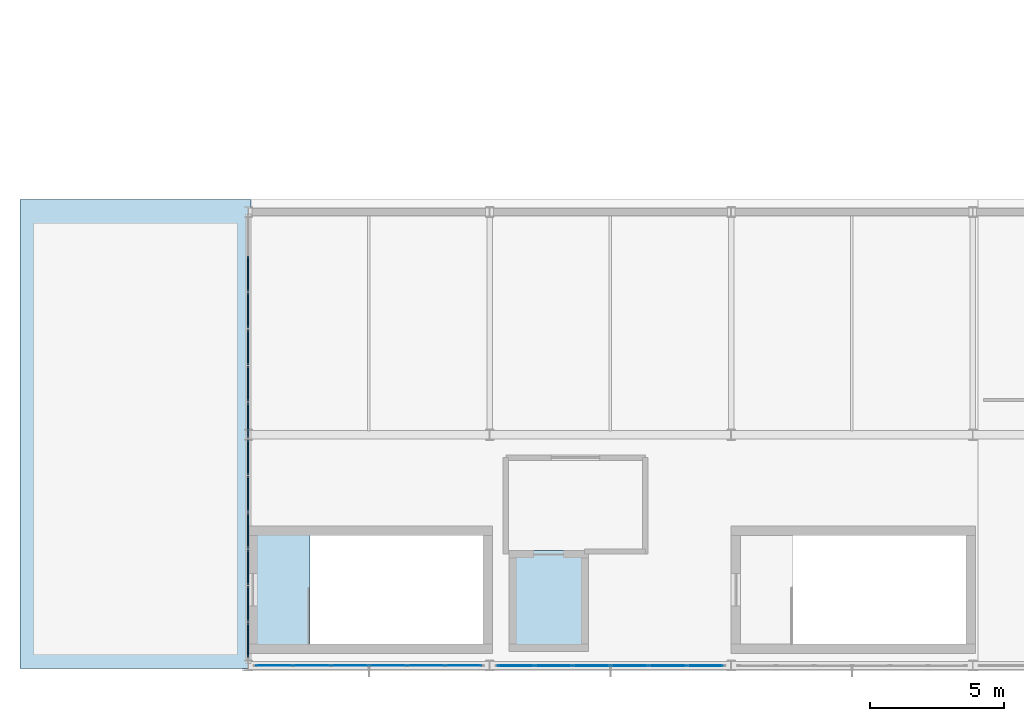
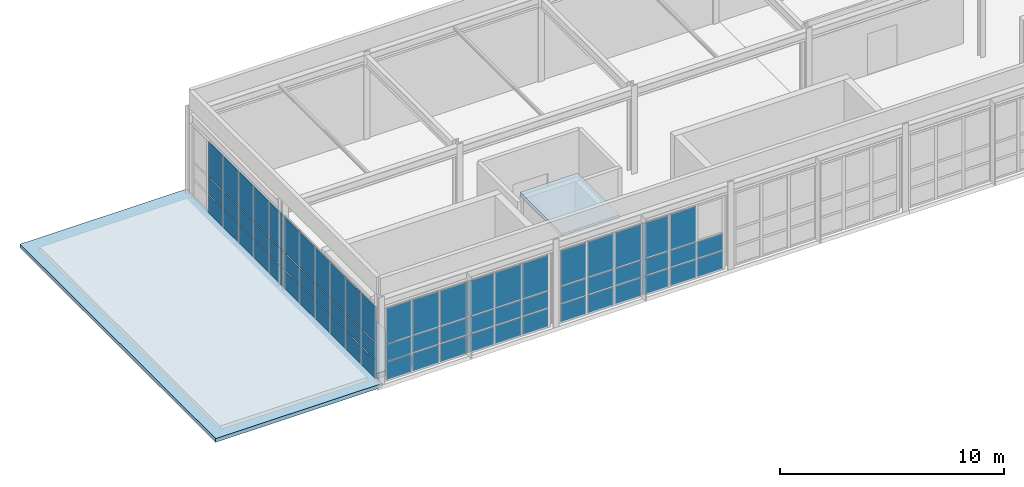
# One storey, part 29 of 38: 68 plates, 3 slabs, 4 elements without a shape of their own.
"""IFC4 building model written with IfcOpenShell, lengths in metres."""

from ifc_helpers import new_model, si_unit, direction, frame, origin, origin_2d, place, context, subcontext, project, spatial, polyline, rectangle, outline, extrude, material, layer, layer_set, type_object, element, aggregate, save


model = new_model("IFC4")

# Units and contexts
model_context = context("Model", 3, precision=1e-05, world=origin(), true_north=direction((0.0, 1.0)))
body_context = subcontext(model_context, "Body", "Model", "MODEL_VIEW")
ifc_project = project(units=[si_unit("LENGTHUNIT", "METRE"), si_unit("AREAUNIT", "SQUARE_METRE"), si_unit("VOLUMEUNIT", "CUBIC_METRE"), si_unit("PLANEANGLEUNIT", "RADIAN"), si_unit("MASSUNIT", "GRAM", prefix="KILO")], contexts=[model_context])

# Site, building, storey
site_placement = place(None, origin())
site = spatial("IfcSite", under=ifc_project, at=site_placement, CompositionType="ELEMENT")
building_placement = place(site_placement, origin())
building = spatial("IfcBuilding", under=site, at=building_placement, Name="Kaldris Quays Convention Centre", CompositionType="ELEMENT")
storey_placement = place(building_placement, frame((0.0, 0.0, 21.60009765625)))
storey = spatial("IfcBuildingStorey", under=building, at=storey_placement, Name="L04", CompositionType="ELEMENT", Elevation=21.60009765625)

# Curtain wall, plates
ifc_material_1 = material(Name="Anodized aluminium AW-6060 and triple glazing", Category="aluminium")
curtain_wall_type = type_object("IfcCurtainWallType", Name="UNITISED CURTAIN WALL CW04", PredefinedType="NOTDEFINED", material=ifc_material_1)
curtain_wall_1_placement = place(storey_placement, origin())
curtain_wall_1 = element("IfcCurtainWall", 1, at=curtain_wall_1_placement, inside=storey, type_object=curtain_wall_type, Name="L04 Unitised Curtain Wall CW04 129", PredefinedType="NOTDEFINED")
ifc_material_2 = material(Name="Triple low-E insulated glazing", Category="glass")
plate_type_1 = type_object("IfcPlateType", Name="CURTAIN GLAZING PANEL CWP1", PredefinedType="CURTAIN_PANEL", material=ifc_material_2)
plate_1_placement = place(storey_placement, frame((92.973388671875, 38.0, 0.059814453125), z_axis=(0.0, 0.0, 1.0), x_axis=(1.0, 0.0, 0.0)))
plate_1 = element("IfcPlate", 2, at=plate_1_placement, type_object=plate_type_1, Name="CW04 panel 1.1", PredefinedType="CURTAIN_PANEL", context=body_context, shape_type="SweptSolid", body=[
    extrude(rectangle(XDim=1.32666015625, YDim=0.029052734375, at=origin_2d()), origin(), (0.0, 0.0, 1.0), 0.9599609375),
])
plate_2_placement = place(storey_placement, frame((92.973388671875, 38.0, 1.080078125), z_axis=(0.0, 0.0, 1.0), x_axis=(1.0, 0.0, 0.0)))
plate_2 = element("IfcPlate", 3, at=plate_2_placement, type_object=plate_type_1, Name="CW04 panel 1.2", PredefinedType="CURTAIN_PANEL", context=body_context, shape_type="SweptSolid", body=[
    extrude(rectangle(XDim=1.32666015625, YDim=0.029052734375, at=origin_2d()), origin(), (0.0, 0.0, 1.0), 0.889892578125),
])
plate_3_placement = place(storey_placement, frame((92.973388671875, 38.0, 2.02978515625), z_axis=(0.0, 0.0, 1.0), x_axis=(1.0, 0.0, 0.0)))
plate_3 = element("IfcPlate", 4, at=plate_3_placement, type_object=plate_type_1, Name="CW04 panel 1.3", PredefinedType="CURTAIN_PANEL", context=body_context, shape_type="SweptSolid", body=[
    extrude(rectangle(XDim=1.32666015625, YDim=0.029052734375, at=origin_2d()), origin(), (0.0, 0.0, 1.0), 1.909912109375),
])
plate_4_placement = place(storey_placement, frame((94.375, 38.0, 0.059814453125), z_axis=(0.0, 0.0, 1.0), x_axis=(1.0, 0.0, 0.0)))
plate_4 = element("IfcPlate", 5, at=plate_4_placement, type_object=plate_type_1, Name="CW04 panel 2.1", PredefinedType="CURTAIN_PANEL", context=body_context, shape_type="SweptSolid", body=[
    extrude(rectangle(XDim=1.356689453125, YDim=0.029052734375, at=origin_2d()), origin(), (0.0, 0.0, 1.0), 0.9599609375),
])
plate_5_placement = place(storey_placement, frame((94.375, 38.0, 1.080078125), z_axis=(0.0, 0.0, 1.0), x_axis=(1.0, 0.0, 0.0)))
plate_5 = element("IfcPlate", 6, at=plate_5_placement, type_object=plate_type_1, Name="CW04 panel 2.2", PredefinedType="CURTAIN_PANEL", context=body_context, shape_type="SweptSolid", body=[
    extrude(rectangle(XDim=1.356689453125, YDim=0.029052734375, at=origin_2d()), origin(), (0.0, 0.0, 1.0), 0.889892578125),
])
plate_6_placement = place(storey_placement, frame((94.375, 38.0, 2.02978515625), z_axis=(0.0, 0.0, 1.0), x_axis=(1.0, 0.0, 0.0)))
plate_6 = element("IfcPlate", 7, at=plate_6_placement, type_object=plate_type_1, Name="CW04 panel 2.3", PredefinedType="CURTAIN_PANEL", context=body_context, shape_type="SweptSolid", body=[
    extrude(rectangle(XDim=1.356689453125, YDim=0.029052734375, at=origin_2d()), origin(), (0.0, 0.0, 1.0), 1.909912109375),
])
plate_7_placement = place(storey_placement, frame((95.791748046875, 38.0, 0.059814453125), z_axis=(0.0, 0.0, 1.0), x_axis=(1.0, 0.0, 0.0)))
plate_7 = element("IfcPlate", 8, at=plate_7_placement, type_object=plate_type_1, Name="CW04 panel 3.1", PredefinedType="CURTAIN_PANEL", context=body_context, shape_type="SweptSolid", body=[
    extrude(rectangle(XDim=1.356689453125, YDim=0.029052734375, at=origin_2d()), origin(), (0.0, 0.0, 1.0), 0.9599609375),
])
plate_8_placement = place(storey_placement, frame((95.791748046875, 38.0, 1.080078125), z_axis=(0.0, 0.0, 1.0), x_axis=(1.0, 0.0, 0.0)))
plate_8 = element("IfcPlate", 9, at=plate_8_placement, type_object=plate_type_1, Name="CW04 panel 3.2", PredefinedType="CURTAIN_PANEL", context=body_context, shape_type="SweptSolid", body=[
    extrude(rectangle(XDim=1.356689453125, YDim=0.029052734375, at=origin_2d()), origin(), (0.0, 0.0, 1.0), 0.889892578125),
])
plate_9_placement = place(storey_placement, frame((95.791748046875, 38.0, 2.02978515625), z_axis=(0.0, 0.0, 1.0), x_axis=(1.0, 0.0, 0.0)))
plate_9 = element("IfcPlate", 10, at=plate_9_placement, type_object=plate_type_1, Name="CW04 panel 3.3", PredefinedType="CURTAIN_PANEL", context=body_context, shape_type="SweptSolid", body=[
    extrude(rectangle(XDim=1.356689453125, YDim=0.029052734375, at=origin_2d()), origin(), (0.0, 0.0, 1.0), 1.909912109375),
])
plate_10_placement = place(storey_placement, frame((97.208251953125, 38.0, 0.059814453125), z_axis=(0.0, 0.0, 1.0), x_axis=(1.0, 0.0, 0.0)))
plate_10 = element("IfcPlate", 11, at=plate_10_placement, type_object=plate_type_1, Name="CW04 panel 4.1", PredefinedType="CURTAIN_PANEL", context=body_context, shape_type="SweptSolid", body=[
    extrude(rectangle(XDim=1.356689453125, YDim=0.029052734375, at=origin_2d()), origin(), (0.0, 0.0, 1.0), 0.9599609375),
])
plate_11_placement = place(storey_placement, frame((97.208251953125, 38.0, 1.080078125), z_axis=(0.0, 0.0, 1.0), x_axis=(1.0, 0.0, 0.0)))
plate_11 = element("IfcPlate", 12, at=plate_11_placement, type_object=plate_type_1, Name="CW04 panel 4.2", PredefinedType="CURTAIN_PANEL", context=body_context, shape_type="SweptSolid", body=[
    extrude(rectangle(XDim=1.356689453125, YDim=0.029052734375, at=origin_2d()), origin(), (0.0, 0.0, 1.0), 0.889892578125),
])
plate_12_placement = place(storey_placement, frame((97.208251953125, 38.0, 2.02978515625), z_axis=(0.0, 0.0, 1.0), x_axis=(1.0, 0.0, 0.0)))
plate_12 = element("IfcPlate", 13, at=plate_12_placement, type_object=plate_type_1, Name="CW04 panel 4.3", PredefinedType="CURTAIN_PANEL", context=body_context, shape_type="SweptSolid", body=[
    extrude(rectangle(XDim=1.356689453125, YDim=0.029052734375, at=origin_2d()), origin(), (0.0, 0.0, 1.0), 1.909912109375),
])
plate_13_placement = place(storey_placement, frame((98.625, 38.0, 0.059814453125), z_axis=(0.0, 0.0, 1.0), x_axis=(1.0, 0.0, 0.0)))
plate_13 = element("IfcPlate", 14, at=plate_13_placement, type_object=plate_type_1, Name="CW04 panel 5.1", PredefinedType="CURTAIN_PANEL", context=body_context, shape_type="SweptSolid", body=[
    extrude(rectangle(XDim=1.356689453125, YDim=0.029052734375, at=origin_2d()), origin(), (0.0, 0.0, 1.0), 0.9599609375),
])
plate_14_placement = place(storey_placement, frame((98.625, 38.0, 1.080078125), z_axis=(0.0, 0.0, 1.0), x_axis=(1.0, 0.0, 0.0)))
plate_14 = element("IfcPlate", 15, at=plate_14_placement, type_object=plate_type_1, Name="CW04 panel 5.2", PredefinedType="CURTAIN_PANEL", context=body_context, shape_type="SweptSolid", body=[
    extrude(rectangle(XDim=1.356689453125, YDim=0.029052734375, at=origin_2d()), origin(), (0.0, 0.0, 1.0), 0.889892578125),
])
plate_15_placement = place(storey_placement, frame((98.625, 38.0, 2.02978515625), z_axis=(0.0, 0.0, 1.0), x_axis=(1.0, 0.0, 0.0)))
plate_15 = element("IfcPlate", 16, at=plate_15_placement, type_object=plate_type_1, Name="CW04 panel 5.3", PredefinedType="CURTAIN_PANEL", context=body_context, shape_type="SweptSolid", body=[
    extrude(rectangle(XDim=1.356689453125, YDim=0.029052734375, at=origin_2d()), origin(), (0.0, 0.0, 1.0), 1.909912109375),
])
plate_16_placement = place(storey_placement, frame((100.026611328125, 38.0, 0.059814453125), z_axis=(0.0, 0.0, 1.0), x_axis=(1.0, 0.0, 0.0)))
plate_16 = element("IfcPlate", 17, at=plate_16_placement, type_object=plate_type_1, Name="CW04 panel 6.1", PredefinedType="CURTAIN_PANEL", context=body_context, shape_type="SweptSolid", body=[
    extrude(rectangle(XDim=1.32666015625, YDim=0.029052734375, at=origin_2d()), origin(), (0.0, 0.0, 1.0), 0.9599609375),
])
plate_17_placement = place(storey_placement, frame((100.026611328125, 38.0, 1.080078125), z_axis=(0.0, 0.0, 1.0), x_axis=(1.0, 0.0, 0.0)))
plate_17 = element("IfcPlate", 18, at=plate_17_placement, type_object=plate_type_1, Name="CW04 panel 6.2", PredefinedType="CURTAIN_PANEL", context=body_context, shape_type="SweptSolid", body=[
    extrude(rectangle(XDim=1.32666015625, YDim=0.029052734375, at=origin_2d()), origin(), (0.0, 0.0, 1.0), 0.889892578125),
])
plate_18_placement = place(storey_placement, frame((100.026611328125, 38.0, 2.02978515625), z_axis=(0.0, 0.0, 1.0), x_axis=(1.0, 0.0, 0.0)))
plate_18 = element("IfcPlate", 19, at=plate_18_placement, type_object=plate_type_1, Name="CW04 panel 6.3", PredefinedType="CURTAIN_PANEL", context=body_context, shape_type="SweptSolid", body=[
    extrude(rectangle(XDim=1.32666015625, YDim=0.029052734375, at=origin_2d()), origin(), (0.0, 0.0, 1.0), 1.909912109375),
])
aggregate(curtain_wall_1, [plate_1, plate_2, plate_3, plate_4, plate_5, plate_6, plate_7, plate_8, plate_9, plate_10, plate_11, plate_12, plate_13, plate_14, plate_15, plate_16, plate_17, plate_18])

curtain_wall_2_placement = place(storey_placement, origin())
curtain_wall_2 = element("IfcCurtainWall", 20, at=curtain_wall_2_placement, inside=storey, type_object=curtain_wall_type, Name="L04 Unitised Curtain Wall CW04 130", PredefinedType="NOTDEFINED")
plate_type_2 = type_object("IfcPlateType", Name="CURTAIN GLAZING PANEL CWP2", PredefinedType="CURTAIN_PANEL", material=ifc_material_2)
plate_19_placement = place(storey_placement, frame((101.973388671875, 38.0, 0.059814453125), z_axis=(0.0, 0.0, 1.0), x_axis=(1.0, 0.0, 0.0)))
plate_19 = element("IfcPlate", 21, at=plate_19_placement, type_object=plate_type_2, Name="CW04 panel 1.1", PredefinedType="CURTAIN_PANEL", context=body_context, shape_type="SweptSolid", body=[
    extrude(rectangle(XDim=1.32666015625, YDim=0.033935546875, at=origin_2d()), origin(), (0.0, 0.0, 1.0), 0.9599609375),
])
plate_20_placement = place(storey_placement, frame((101.973388671875, 38.0, 1.080078125), z_axis=(0.0, 0.0, 1.0), x_axis=(1.0, 0.0, 0.0)))
plate_20 = element("IfcPlate", 22, at=plate_20_placement, type_object=plate_type_2, Name="CW04 panel 1.2", PredefinedType="CURTAIN_PANEL", context=body_context, shape_type="SweptSolid", body=[
    extrude(rectangle(XDim=1.32666015625, YDim=0.033935546875, at=origin_2d()), origin(), (0.0, 0.0, 1.0), 0.889892578125),
])
plate_21_placement = place(storey_placement, frame((101.973388671875, 38.0, 2.02978515625), z_axis=(0.0, 0.0, 1.0), x_axis=(1.0, 0.0, 0.0)))
plate_21 = element("IfcPlate", 23, at=plate_21_placement, type_object=plate_type_2, Name="CW04 panel 1.3", PredefinedType="CURTAIN_PANEL", context=body_context, shape_type="SweptSolid", body=[
    extrude(rectangle(XDim=1.32666015625, YDim=0.033935546875, at=origin_2d()), origin(), (0.0, 0.0, 1.0), 1.909912109375),
])
plate_22_placement = place(storey_placement, frame((103.375, 38.0, 0.059814453125), z_axis=(0.0, 0.0, 1.0), x_axis=(1.0, 0.0, 0.0)))
plate_22 = element("IfcPlate", 24, at=plate_22_placement, type_object=plate_type_2, Name="CW04 panel 2.1", PredefinedType="CURTAIN_PANEL", context=body_context, shape_type="SweptSolid", body=[
    extrude(rectangle(XDim=1.356689453125, YDim=0.033935546875, at=origin_2d()), origin(), (0.0, 0.0, 1.0), 0.9599609375),
])
plate_23_placement = place(storey_placement, frame((103.375, 38.0, 1.080078125), z_axis=(0.0, 0.0, 1.0), x_axis=(1.0, 0.0, 0.0)))
plate_23 = element("IfcPlate", 25, at=plate_23_placement, type_object=plate_type_2, Name="CW04 panel 2.2", PredefinedType="CURTAIN_PANEL", context=body_context, shape_type="SweptSolid", body=[
    extrude(rectangle(XDim=1.356689453125, YDim=0.033935546875, at=origin_2d()), origin(), (0.0, 0.0, 1.0), 0.889892578125),
])
plate_24_placement = place(storey_placement, frame((103.375, 38.0, 2.02978515625), z_axis=(0.0, 0.0, 1.0), x_axis=(1.0, 0.0, 0.0)))
plate_24 = element("IfcPlate", 26, at=plate_24_placement, type_object=plate_type_2, Name="CW04 panel 2.3", PredefinedType="CURTAIN_PANEL", context=body_context, shape_type="SweptSolid", body=[
    extrude(rectangle(XDim=1.356689453125, YDim=0.033935546875, at=origin_2d()), origin(), (0.0, 0.0, 1.0), 1.909912109375),
])
plate_25_placement = place(storey_placement, frame((104.791748046875, 38.0, 0.059814453125), z_axis=(0.0, 0.0, 1.0), x_axis=(1.0, 0.0, 0.0)))
plate_25 = element("IfcPlate", 27, at=plate_25_placement, type_object=plate_type_2, Name="CW04 panel 3.1", PredefinedType="CURTAIN_PANEL", context=body_context, shape_type="SweptSolid", body=[
    extrude(rectangle(XDim=1.356689453125, YDim=0.033935546875, at=origin_2d()), origin(), (0.0, 0.0, 1.0), 0.9599609375),
])
plate_26_placement = place(storey_placement, frame((104.791748046875, 38.0, 1.080078125), z_axis=(0.0, 0.0, 1.0), x_axis=(1.0, 0.0, 0.0)))
plate_26 = element("IfcPlate", 28, at=plate_26_placement, type_object=plate_type_2, Name="CW04 panel 3.2", PredefinedType="CURTAIN_PANEL", context=body_context, shape_type="SweptSolid", body=[
    extrude(rectangle(XDim=1.356689453125, YDim=0.033935546875, at=origin_2d()), origin(), (0.0, 0.0, 1.0), 0.889892578125),
])
plate_27_placement = place(storey_placement, frame((104.791748046875, 38.0, 2.02978515625), z_axis=(0.0, 0.0, 1.0), x_axis=(1.0, 0.0, 0.0)))
plate_27 = element("IfcPlate", 29, at=plate_27_placement, type_object=plate_type_2, Name="CW04 panel 3.3", PredefinedType="CURTAIN_PANEL", context=body_context, shape_type="SweptSolid", body=[
    extrude(rectangle(XDim=1.356689453125, YDim=0.033935546875, at=origin_2d()), origin(), (0.0, 0.0, 1.0), 1.909912109375),
])
plate_28_placement = place(storey_placement, frame((106.208251953125, 38.0, 0.059814453125), z_axis=(0.0, 0.0, 1.0), x_axis=(1.0, 0.0, 0.0)))
plate_28 = element("IfcPlate", 30, at=plate_28_placement, type_object=plate_type_2, Name="CW04 panel 4.1", PredefinedType="CURTAIN_PANEL", context=body_context, shape_type="SweptSolid", body=[
    extrude(rectangle(XDim=1.356689453125, YDim=0.033935546875, at=origin_2d()), origin(), (0.0, 0.0, 1.0), 0.9599609375),
])
plate_29_placement = place(storey_placement, frame((106.208251953125, 38.0, 1.080078125), z_axis=(0.0, 0.0, 1.0), x_axis=(1.0, 0.0, 0.0)))
plate_29 = element("IfcPlate", 31, at=plate_29_placement, type_object=plate_type_2, Name="CW04 panel 4.2", PredefinedType="CURTAIN_PANEL", context=body_context, shape_type="SweptSolid", body=[
    extrude(rectangle(XDim=1.356689453125, YDim=0.033935546875, at=origin_2d()), origin(), (0.0, 0.0, 1.0), 0.889892578125),
])
plate_30_placement = place(storey_placement, frame((106.208251953125, 38.0, 2.02978515625), z_axis=(0.0, 0.0, 1.0), x_axis=(1.0, 0.0, 0.0)))
plate_30 = element("IfcPlate", 32, at=plate_30_placement, type_object=plate_type_2, Name="CW04 panel 4.3", PredefinedType="CURTAIN_PANEL", context=body_context, shape_type="SweptSolid", body=[
    extrude(rectangle(XDim=1.356689453125, YDim=0.033935546875, at=origin_2d()), origin(), (0.0, 0.0, 1.0), 1.909912109375),
])
plate_31_placement = place(storey_placement, frame((107.625, 38.0, 0.059814453125), z_axis=(0.0, 0.0, 1.0), x_axis=(1.0, 0.0, 0.0)))
plate_31 = element("IfcPlate", 33, at=plate_31_placement, type_object=plate_type_2, Name="CW04 panel 5.1", PredefinedType="CURTAIN_PANEL", context=body_context, shape_type="SweptSolid", body=[
    extrude(rectangle(XDim=1.356689453125, YDim=0.033935546875, at=origin_2d()), origin(), (0.0, 0.0, 1.0), 0.9599609375),
])
plate_32_placement = place(storey_placement, frame((107.625, 38.0, 1.080078125), z_axis=(0.0, 0.0, 1.0), x_axis=(1.0, 0.0, 0.0)))
plate_32 = element("IfcPlate", 34, at=plate_32_placement, type_object=plate_type_2, Name="CW04 panel 5.2", PredefinedType="CURTAIN_PANEL", context=body_context, shape_type="SweptSolid", body=[
    extrude(rectangle(XDim=1.356689453125, YDim=0.033935546875, at=origin_2d()), origin(), (0.0, 0.0, 1.0), 0.889892578125),
])
plate_33_placement = place(storey_placement, frame((107.625, 38.0, 2.02978515625), z_axis=(0.0, 0.0, 1.0), x_axis=(1.0, 0.0, 0.0)))
plate_33 = element("IfcPlate", 35, at=plate_33_placement, type_object=plate_type_2, Name="CW04 panel 5.3", PredefinedType="CURTAIN_PANEL", context=body_context, shape_type="SweptSolid", body=[
    extrude(rectangle(XDim=1.356689453125, YDim=0.033935546875, at=origin_2d()), origin(), (0.0, 0.0, 1.0), 1.909912109375),
])
plate_34_placement = place(storey_placement, frame((109.026611328125, 38.0, 0.059814453125), z_axis=(0.0, 0.0, 1.0), x_axis=(1.0, 0.0, 0.0)))
plate_34 = element("IfcPlate", 36, at=plate_34_placement, type_object=plate_type_2, Name="CW04 panel 6.1", PredefinedType="CURTAIN_PANEL", context=body_context, shape_type="SweptSolid", body=[
    extrude(rectangle(XDim=1.32666015625, YDim=0.033935546875, at=origin_2d()), origin(), (0.0, 0.0, 1.0), 0.9599609375),
])
plate_35_placement = place(storey_placement, frame((109.026611328125, 38.0, 1.080078125), z_axis=(0.0, 0.0, 1.0), x_axis=(1.0, 0.0, 0.0)))
plate_35 = element("IfcPlate", 37, at=plate_35_placement, type_object=plate_type_2, Name="CW04 panel 6.2", PredefinedType="CURTAIN_PANEL", context=body_context, shape_type="SweptSolid", body=[
    extrude(rectangle(XDim=1.32666015625, YDim=0.033935546875, at=origin_2d()), origin(), (0.0, 0.0, 1.0), 0.889892578125),
])
aggregate(curtain_wall_2, [plate_19, plate_20, plate_21, plate_22, plate_23, plate_24, plate_25, plate_26, plate_27, plate_28, plate_29, plate_30, plate_31, plate_32, plate_33, plate_34, plate_35])

curtain_wall_3_placement = place(storey_placement, origin())
curtain_wall_3 = element("IfcCurtainWall", 38, at=curtain_wall_3_placement, inside=storey, type_object=curtain_wall_type, Name="L04 Unitised Curtain Wall CW04 135", PredefinedType="NOTDEFINED")
plate_type_3 = type_object("IfcPlateType", Name="CURTAIN GLAZING PANEL CWP7", PredefinedType="CURTAIN_PANEL", material=ifc_material_2)
plate_36_placement = place(storey_placement, frame((92.0, 38.9482421875, 0.059814453125), z_axis=(0.0, 0.0, 1.0), x_axis=(0.0, 1.0, 0.0)))
plate_36 = element("IfcPlate", 39, at=plate_36_placement, type_object=plate_type_3, Name="CW04 panel 1.1", PredefinedType="CURTAIN_PANEL", context=body_context, shape_type="SweptSolid", body=[
    extrude(rectangle(XDim=1.276611328125, YDim=0.05908203125, at=origin_2d()), origin(), (0.0, 0.0, 1.0), 0.9599609375),
])
plate_37_placement = place(storey_placement, frame((92.0, 38.9482421875, 1.080078125), z_axis=(0.0, 0.0, 1.0), x_axis=(0.0, 1.0, 0.0)))
plate_37 = element("IfcPlate", 40, at=plate_37_placement, type_object=plate_type_3, Name="CW04 panel 1.2", PredefinedType="CURTAIN_PANEL", context=body_context, shape_type="SweptSolid", body=[
    extrude(rectangle(XDim=1.276611328125, YDim=0.05908203125, at=origin_2d()), origin(), (0.0, 0.0, 1.0), 0.889892578125),
])
plate_38_placement = place(storey_placement, frame((92.0, 38.9482421875, 2.02978515625), z_axis=(0.0, 0.0, 1.0), x_axis=(0.0, 1.0, 0.0)))
plate_38 = element("IfcPlate", 41, at=plate_38_placement, type_object=plate_type_3, Name="CW04 panel 1.3", PredefinedType="CURTAIN_PANEL", context=body_context, shape_type="SweptSolid", body=[
    extrude(rectangle(XDim=1.276611328125, YDim=0.05908203125, at=origin_2d()), origin(), (0.0, 0.0, 1.0), 1.909912109375),
])
plate_39_placement = place(storey_placement, frame((92.0, 40.300048828125, 0.059814453125), z_axis=(0.0, 0.0, 1.0), x_axis=(0.0, 1.0, 0.0)))
plate_39 = element("IfcPlate", 42, at=plate_39_placement, type_object=plate_type_3, Name="CW04 panel 2.1", PredefinedType="CURTAIN_PANEL", context=body_context, shape_type="SweptSolid", body=[
    extrude(rectangle(XDim=1.306640625, YDim=0.05908203125, at=origin_2d()), origin(), (0.0, 0.0, 1.0), 0.9599609375),
])
plate_40_placement = place(storey_placement, frame((92.0, 40.300048828125, 1.080078125), z_axis=(0.0, 0.0, 1.0), x_axis=(0.0, 1.0, 0.0)))
plate_40 = element("IfcPlate", 43, at=plate_40_placement, type_object=plate_type_3, Name="CW04 panel 2.2", PredefinedType="CURTAIN_PANEL", context=body_context, shape_type="SweptSolid", body=[
    extrude(rectangle(XDim=1.306640625, YDim=0.05908203125, at=origin_2d()), origin(), (0.0, 0.0, 1.0), 0.889892578125),
])
plate_41_placement = place(storey_placement, frame((92.0, 40.300048828125, 2.02978515625), z_axis=(0.0, 0.0, 1.0), x_axis=(0.0, 1.0, 0.0)))
plate_41 = element("IfcPlate", 44, at=plate_41_placement, type_object=plate_type_3, Name="CW04 panel 2.3", PredefinedType="CURTAIN_PANEL", context=body_context, shape_type="SweptSolid", body=[
    extrude(rectangle(XDim=1.306640625, YDim=0.05908203125, at=origin_2d()), origin(), (0.0, 0.0, 1.0), 1.909912109375),
])
plate_42_placement = place(storey_placement, frame((92.0, 41.666748046875, 0.059814453125), z_axis=(0.0, 0.0, 1.0), x_axis=(0.0, 1.0, 0.0)))
plate_42 = element("IfcPlate", 45, at=plate_42_placement, type_object=plate_type_3, Name="CW04 panel 3.1", PredefinedType="CURTAIN_PANEL", context=body_context, shape_type="SweptSolid", body=[
    extrude(rectangle(XDim=1.306640625, YDim=0.05908203125, at=origin_2d()), origin(), (0.0, 0.0, 1.0), 0.9599609375),
])
plate_43_placement = place(storey_placement, frame((92.0, 41.666748046875, 1.080078125), z_axis=(0.0, 0.0, 1.0), x_axis=(0.0, 1.0, 0.0)))
plate_43 = element("IfcPlate", 46, at=plate_43_placement, type_object=plate_type_3, Name="CW04 panel 3.2", PredefinedType="CURTAIN_PANEL", context=body_context, shape_type="SweptSolid", body=[
    extrude(rectangle(XDim=1.306640625, YDim=0.05908203125, at=origin_2d()), origin(), (0.0, 0.0, 1.0), 0.889892578125),
])
plate_44_placement = place(storey_placement, frame((92.0, 41.666748046875, 2.02978515625), z_axis=(0.0, 0.0, 1.0), x_axis=(0.0, 1.0, 0.0)))
plate_44 = element("IfcPlate", 47, at=plate_44_placement, type_object=plate_type_3, Name="CW04 panel 3.3", PredefinedType="CURTAIN_PANEL", context=body_context, shape_type="SweptSolid", body=[
    extrude(rectangle(XDim=1.306640625, YDim=0.05908203125, at=origin_2d()), origin(), (0.0, 0.0, 1.0), 1.909912109375),
])
plate_45_placement = place(storey_placement, frame((92.0, 43.033447265625, 0.059814453125), z_axis=(0.0, 0.0, 1.0), x_axis=(0.0, 1.0, 0.0)))
plate_45 = element("IfcPlate", 48, at=plate_45_placement, type_object=plate_type_3, Name="CW04 panel 4.1", PredefinedType="CURTAIN_PANEL", context=body_context, shape_type="SweptSolid", body=[
    extrude(rectangle(XDim=1.306640625, YDim=0.05908203125, at=origin_2d()), origin(), (0.0, 0.0, 1.0), 0.9599609375),
])
plate_46_placement = place(storey_placement, frame((92.0, 43.033447265625, 1.080078125), z_axis=(0.0, 0.0, 1.0), x_axis=(0.0, 1.0, 0.0)))
plate_46 = element("IfcPlate", 49, at=plate_46_placement, type_object=plate_type_3, Name="CW04 panel 4.2", PredefinedType="CURTAIN_PANEL", context=body_context, shape_type="SweptSolid", body=[
    extrude(rectangle(XDim=1.306640625, YDim=0.05908203125, at=origin_2d()), origin(), (0.0, 0.0, 1.0), 0.889892578125),
])
plate_47_placement = place(storey_placement, frame((92.0, 43.033447265625, 2.02978515625), z_axis=(0.0, 0.0, 1.0), x_axis=(0.0, 1.0, 0.0)))
plate_47 = element("IfcPlate", 50, at=plate_47_placement, type_object=plate_type_3, Name="CW04 panel 4.3", PredefinedType="CURTAIN_PANEL", context=body_context, shape_type="SweptSolid", body=[
    extrude(rectangle(XDim=1.306640625, YDim=0.05908203125, at=origin_2d()), origin(), (0.0, 0.0, 1.0), 1.909912109375),
])
plate_48_placement = place(storey_placement, frame((92.0, 44.39990234375, 0.059814453125), z_axis=(0.0, 0.0, 1.0), x_axis=(0.0, 1.0, 0.0)))
plate_48 = element("IfcPlate", 51, at=plate_48_placement, type_object=plate_type_3, Name="CW04 panel 5.1", PredefinedType="CURTAIN_PANEL", context=body_context, shape_type="SweptSolid", body=[
    extrude(rectangle(XDim=1.306640625, YDim=0.05908203125, at=origin_2d()), origin(), (0.0, 0.0, 1.0), 0.9599609375),
])
plate_49_placement = place(storey_placement, frame((92.0, 44.39990234375, 1.080078125), z_axis=(0.0, 0.0, 1.0), x_axis=(0.0, 1.0, 0.0)))
plate_49 = element("IfcPlate", 52, at=plate_49_placement, type_object=plate_type_3, Name="CW04 panel 5.2", PredefinedType="CURTAIN_PANEL", context=body_context, shape_type="SweptSolid", body=[
    extrude(rectangle(XDim=1.306640625, YDim=0.05908203125, at=origin_2d()), origin(), (0.0, 0.0, 1.0), 0.889892578125),
])
plate_50_placement = place(storey_placement, frame((92.0, 44.39990234375, 2.02978515625), z_axis=(0.0, 0.0, 1.0), x_axis=(0.0, 1.0, 0.0)))
plate_50 = element("IfcPlate", 53, at=plate_50_placement, type_object=plate_type_3, Name="CW04 panel 5.3", PredefinedType="CURTAIN_PANEL", context=body_context, shape_type="SweptSolid", body=[
    extrude(rectangle(XDim=1.306640625, YDim=0.05908203125, at=origin_2d()), origin(), (0.0, 0.0, 1.0), 1.909912109375),
])
plate_51_placement = place(storey_placement, frame((92.0, 45.7666015625, 0.059814453125), z_axis=(0.0, 0.0, 1.0), x_axis=(0.0, 1.0, 0.0)))
plate_51 = element("IfcPlate", 54, at=plate_51_placement, type_object=plate_type_3, Name="CW04 panel 6.1", PredefinedType="CURTAIN_PANEL", context=body_context, shape_type="SweptSolid", body=[
    extrude(rectangle(XDim=1.306640625, YDim=0.05908203125, at=origin_2d()), origin(), (0.0, 0.0, 1.0), 0.9599609375),
])
plate_52_placement = place(storey_placement, frame((92.0, 45.7666015625, 1.080078125), z_axis=(0.0, 0.0, 1.0), x_axis=(0.0, 1.0, 0.0)))
plate_52 = element("IfcPlate", 55, at=plate_52_placement, type_object=plate_type_3, Name="CW04 panel 6.2", PredefinedType="CURTAIN_PANEL", context=body_context, shape_type="SweptSolid", body=[
    extrude(rectangle(XDim=1.306640625, YDim=0.05908203125, at=origin_2d()), origin(), (0.0, 0.0, 1.0), 0.889892578125),
])
plate_53_placement = place(storey_placement, frame((92.0, 45.7666015625, 2.02978515625), z_axis=(0.0, 0.0, 1.0), x_axis=(0.0, 1.0, 0.0)))
plate_53 = element("IfcPlate", 56, at=plate_53_placement, type_object=plate_type_3, Name="CW04 panel 6.3", PredefinedType="CURTAIN_PANEL", context=body_context, shape_type="SweptSolid", body=[
    extrude(rectangle(XDim=1.306640625, YDim=0.05908203125, at=origin_2d()), origin(), (0.0, 0.0, 1.0), 1.909912109375),
])
plate_54_placement = place(storey_placement, frame((92.0, 47.13330078125, 0.059814453125), z_axis=(0.0, 0.0, 1.0), x_axis=(0.0, 1.0, 0.0)))
plate_54 = element("IfcPlate", 57, at=plate_54_placement, type_object=plate_type_3, Name="CW04 panel 7.1", PredefinedType="CURTAIN_PANEL", context=body_context, shape_type="SweptSolid", body=[
    extrude(rectangle(XDim=1.306640625, YDim=0.05908203125, at=origin_2d()), origin(), (0.0, 0.0, 1.0), 0.9599609375),
])
plate_55_placement = place(storey_placement, frame((92.0, 47.13330078125, 1.080078125), z_axis=(0.0, 0.0, 1.0), x_axis=(0.0, 1.0, 0.0)))
plate_55 = element("IfcPlate", 58, at=plate_55_placement, type_object=plate_type_3, Name="CW04 panel 7.2", PredefinedType="CURTAIN_PANEL", context=body_context, shape_type="SweptSolid", body=[
    extrude(rectangle(XDim=1.306640625, YDim=0.05908203125, at=origin_2d()), origin(), (0.0, 0.0, 1.0), 0.889892578125),
])
plate_56_placement = place(storey_placement, frame((92.0, 47.13330078125, 2.02978515625), z_axis=(0.0, 0.0, 1.0), x_axis=(0.0, 1.0, 0.0)))
plate_56 = element("IfcPlate", 59, at=plate_56_placement, type_object=plate_type_3, Name="CW04 panel 7.3", PredefinedType="CURTAIN_PANEL", context=body_context, shape_type="SweptSolid", body=[
    extrude(rectangle(XDim=1.306640625, YDim=0.05908203125, at=origin_2d()), origin(), (0.0, 0.0, 1.0), 1.909912109375),
])
plate_57_placement = place(storey_placement, frame((92.0, 48.5, 0.059814453125), z_axis=(0.0, 0.0, 1.0), x_axis=(0.0, 1.0, 0.0)))
plate_57 = element("IfcPlate", 60, at=plate_57_placement, type_object=plate_type_3, Name="CW04 panel 8.1", PredefinedType="CURTAIN_PANEL", context=body_context, shape_type="SweptSolid", body=[
    extrude(rectangle(XDim=1.306640625, YDim=0.05908203125, at=origin_2d()), origin(), (0.0, 0.0, 1.0), 0.9599609375),
])
plate_58_placement = place(storey_placement, frame((92.0, 48.5, 1.080078125), z_axis=(0.0, 0.0, 1.0), x_axis=(0.0, 1.0, 0.0)))
plate_58 = element("IfcPlate", 61, at=plate_58_placement, type_object=plate_type_3, Name="CW04 panel 8.2", PredefinedType="CURTAIN_PANEL", context=body_context, shape_type="SweptSolid", body=[
    extrude(rectangle(XDim=1.306640625, YDim=0.05908203125, at=origin_2d()), origin(), (0.0, 0.0, 1.0), 0.889892578125),
])
plate_59_placement = place(storey_placement, frame((92.0, 48.5, 2.02978515625), z_axis=(0.0, 0.0, 1.0), x_axis=(0.0, 1.0, 0.0)))
plate_59 = element("IfcPlate", 62, at=plate_59_placement, type_object=plate_type_3, Name="CW04 panel 8.3", PredefinedType="CURTAIN_PANEL", context=body_context, shape_type="SweptSolid", body=[
    extrude(rectangle(XDim=1.306640625, YDim=0.05908203125, at=origin_2d()), origin(), (0.0, 0.0, 1.0), 1.909912109375),
])
plate_60_placement = place(storey_placement, frame((92.0, 49.86669921875, 0.059814453125), z_axis=(0.0, 0.0, 1.0), x_axis=(0.0, 1.0, 0.0)))
plate_60 = element("IfcPlate", 63, at=plate_60_placement, type_object=plate_type_3, Name="CW04 panel 9.1", PredefinedType="CURTAIN_PANEL", context=body_context, shape_type="SweptSolid", body=[
    extrude(rectangle(XDim=1.306640625, YDim=0.05908203125, at=origin_2d()), origin(), (0.0, 0.0, 1.0), 0.9599609375),
])
plate_61_placement = place(storey_placement, frame((92.0, 49.86669921875, 1.080078125), z_axis=(0.0, 0.0, 1.0), x_axis=(0.0, 1.0, 0.0)))
plate_61 = element("IfcPlate", 64, at=plate_61_placement, type_object=plate_type_3, Name="CW04 panel 9.2", PredefinedType="CURTAIN_PANEL", context=body_context, shape_type="SweptSolid", body=[
    extrude(rectangle(XDim=1.306640625, YDim=0.05908203125, at=origin_2d()), origin(), (0.0, 0.0, 1.0), 0.889892578125),
])
plate_62_placement = place(storey_placement, frame((92.0, 49.86669921875, 2.02978515625), z_axis=(0.0, 0.0, 1.0), x_axis=(0.0, 1.0, 0.0)))
plate_62 = element("IfcPlate", 65, at=plate_62_placement, type_object=plate_type_3, Name="CW04 panel 9.3", PredefinedType="CURTAIN_PANEL", context=body_context, shape_type="SweptSolid", body=[
    extrude(rectangle(XDim=1.306640625, YDim=0.05908203125, at=origin_2d()), origin(), (0.0, 0.0, 1.0), 1.909912109375),
])
plate_63_placement = place(storey_placement, frame((92.0, 51.2333984375, 0.059814453125), z_axis=(0.0, 0.0, 1.0), x_axis=(0.0, 1.0, 0.0)))
plate_63 = element("IfcPlate", 66, at=plate_63_placement, type_object=plate_type_3, Name="CW04 panel 10.1", PredefinedType="CURTAIN_PANEL", context=body_context, shape_type="SweptSolid", body=[
    extrude(rectangle(XDim=1.306640625, YDim=0.05908203125, at=origin_2d()), origin(), (0.0, 0.0, 1.0), 0.9599609375),
])
plate_64_placement = place(storey_placement, frame((92.0, 51.2333984375, 1.080078125), z_axis=(0.0, 0.0, 1.0), x_axis=(0.0, 1.0, 0.0)))
plate_64 = element("IfcPlate", 67, at=plate_64_placement, type_object=plate_type_3, Name="CW04 panel 10.2", PredefinedType="CURTAIN_PANEL", context=body_context, shape_type="SweptSolid", body=[
    extrude(rectangle(XDim=1.306640625, YDim=0.05908203125, at=origin_2d()), origin(), (0.0, 0.0, 1.0), 0.889892578125),
])
plate_65_placement = place(storey_placement, frame((92.0, 51.2333984375, 2.02978515625), z_axis=(0.0, 0.0, 1.0), x_axis=(0.0, 1.0, 0.0)))
plate_65 = element("IfcPlate", 68, at=plate_65_placement, type_object=plate_type_3, Name="CW04 panel 10.3", PredefinedType="CURTAIN_PANEL", context=body_context, shape_type="SweptSolid", body=[
    extrude(rectangle(XDim=1.306640625, YDim=0.05908203125, at=origin_2d()), origin(), (0.0, 0.0, 1.0), 1.909912109375),
])
plate_66_placement = place(storey_placement, frame((92.0, 52.60009765625, 0.059814453125), z_axis=(0.0, 0.0, 1.0), x_axis=(0.0, 1.0, 0.0)))
plate_66 = element("IfcPlate", 69, at=plate_66_placement, type_object=plate_type_3, Name="CW04 panel 11.1", PredefinedType="CURTAIN_PANEL", context=body_context, shape_type="SweptSolid", body=[
    extrude(rectangle(XDim=1.306640625, YDim=0.05908203125, at=origin_2d()), origin(), (0.0, 0.0, 1.0), 0.9599609375),
])
plate_67_placement = place(storey_placement, frame((92.0, 52.60009765625, 1.080078125), z_axis=(0.0, 0.0, 1.0), x_axis=(0.0, 1.0, 0.0)))
plate_67 = element("IfcPlate", 70, at=plate_67_placement, type_object=plate_type_3, Name="CW04 panel 11.2", PredefinedType="CURTAIN_PANEL", context=body_context, shape_type="SweptSolid", body=[
    extrude(rectangle(XDim=1.306640625, YDim=0.05908203125, at=origin_2d()), origin(), (0.0, 0.0, 1.0), 0.889892578125),
])
plate_68_placement = place(storey_placement, frame((92.0, 52.60009765625, 2.02978515625), z_axis=(0.0, 0.0, 1.0), x_axis=(0.0, 1.0, 0.0)))
plate_68 = element("IfcPlate", 71, at=plate_68_placement, type_object=plate_type_3, Name="CW04 panel 11.3", PredefinedType="CURTAIN_PANEL", context=body_context, shape_type="SweptSolid", body=[
    extrude(rectangle(XDim=1.306640625, YDim=0.05908203125, at=origin_2d()), origin(), (0.0, 0.0, 1.0), 1.909912109375),
])
aggregate(curtain_wall_3, [plate_36, plate_37, plate_38, plate_39, plate_40, plate_41, plate_42, plate_43, plate_44, plate_45, plate_46, plate_47, plate_48, plate_49, plate_50, plate_51, plate_52, plate_53, plate_54, plate_55, plate_56, plate_57, plate_58, plate_59, plate_60, plate_61, plate_62, plate_63, plate_64, plate_65, plate_66, plate_67, plate_68])

# Slabs
ifc_material_3 = material(Name="Concrete C35/45", Category="concrete")
ifc_layer_1 = layer(ifc_material_3, 0.27490234375)
ifc_layer_set_1 = layer_set([ifc_layer_1], Name="Concrete C35/45")
slab_type_1 = type_object("IfcSlabType", Name="STRUCTURAL SLAB FS05", PredefinedType="FLOOR", material=ifc_layer_set_1)
slab_1_placement = place(storey_placement, frame((0.0, 0.0, -0.275146484375)))
element("IfcSlab", 72, at=slab_1_placement, inside=storey, type_object=slab_type_1, Name="L04 ST11 Core Floor Landing Slab", PredefinedType="FLOOR", context=body_context, shape_type="SweptSolid", body=[
    extrude(outline(polyline([(92.22998046875, 38.679931640625), (94.300048828125, 38.679931640625), (94.300048828125, 42.969970703125), (92.22998046875, 42.969970703125), (92.22998046875, 38.679931640625)])), origin(), (0.0, 0.0, 1.0), 0.275146484375),
])
ifc_layer_2 = layer(ifc_material_3, 0.205078125)
ifc_layer_set_2 = layer_set([ifc_layer_2], Name="Concrete C35/45")
slab_type_2 = type_object("IfcSlabType", Name="STRUCTURAL SLAB RS01", PredefinedType="ROOF", material=ifc_layer_set_2)
slab_2_placement = place(storey_placement, frame((0.0, 0.0, 4.199951171875)))
element("IfcSlab", 73, at=slab_2_placement, inside=storey, type_object=slab_type_2, Name="FL01 Lift Overrun Cap Slab", PredefinedType="ROOF", context=body_context, shape_type="SweptSolid", body=[
    extrude(outline(polyline([(101.719970703125, 38.52001953125), (104.679931640625, 38.52001953125), (104.679931640625, 42.280029296875), (101.719970703125, 42.280029296875), (101.719970703125, 38.52001953125)])), origin(), (0.0, 0.0, 1.0), 0.204833984375),
])

# Roof, slab
ifc_layer_3 = layer(ifc_material_3, 0.205078125)
ifc_layer_set_3 = layer_set([ifc_layer_3], Name="Concrete C35/45")
roof_type = type_object("IfcRoofType", Name="GREEN FLAT ROOF RF03", PredefinedType="FLAT_ROOF", material=ifc_layer_set_3)
roof_placement = place(storey_placement, origin())
roof = element("IfcRoof", 74, at=roof_placement, inside=storey, type_object=roof_type, Name="V4 L04 Setback Green Roofs", PredefinedType="FLAT_ROOF")
slab_3_placement = place(storey_placement, frame((0.0, 0.0, -0.205078125)))
slab_3 = element("IfcSlab", 75, at=slab_3_placement, type_object=slab_type_2, Name="L04 V4 West Setback Roof SLAB-L04-V4SWROOF", PredefinedType="ROOF", context=body_context, shape_type="SweptSolid", body=[
    extrude(outline(polyline([(83.5, 37.89990234375), (83.5, 55.375), (92.10009765625, 55.375), (92.10009765625, 37.89990234375), (83.5, 37.89990234375)])), origin(), (0.0, 0.0, 1.0), 0.205078125),
])
aggregate(roof, [slab_3])

save(model, "model.ifc")
